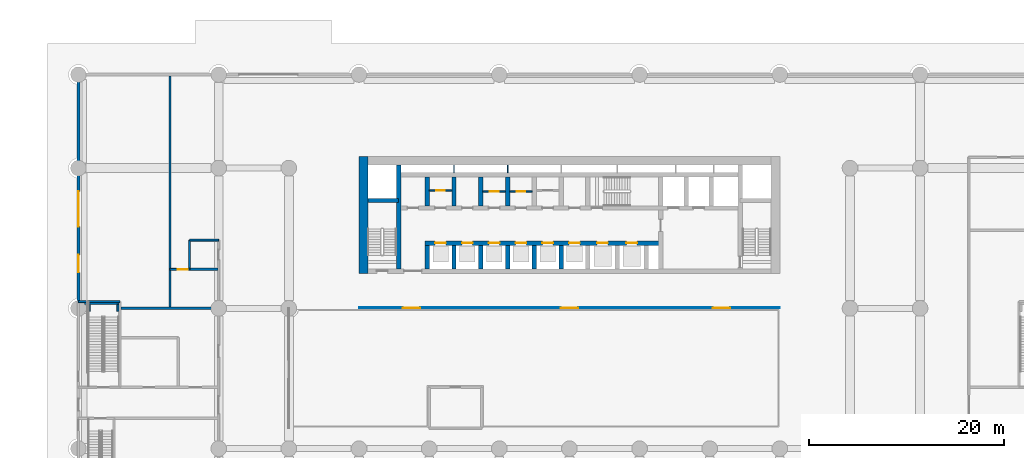
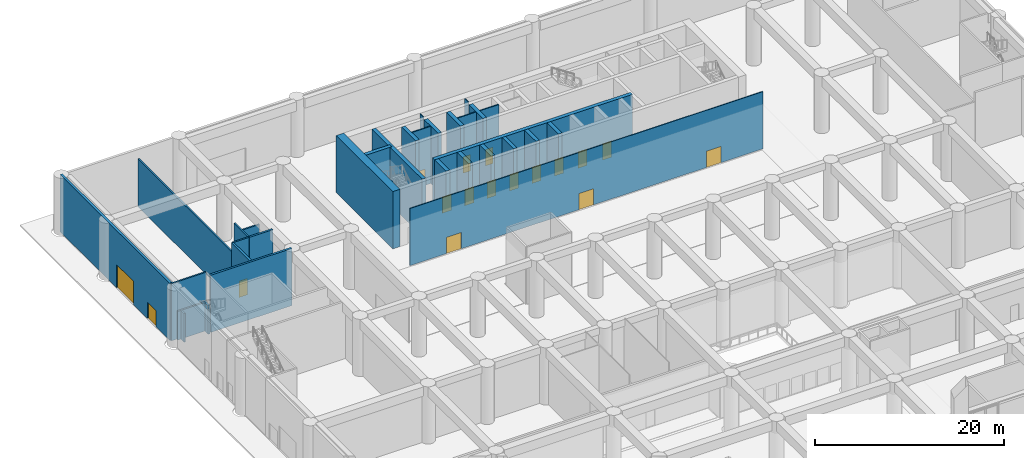
# One storey, part 17 of 32: 32 walls, 17 doors, 17 openings.
"""IFC4 building model written with IfcOpenShell, lengths in metres."""

from ifc_helpers import new_model, si_unit, direction, frame, frame_2d, origin, place, context, subcontext, project, spatial, rectangle, extrude, material, layer, layer_set, type_object, element, fill, save


model = new_model("IFC4")

# Units and contexts
model_context = context("Model", 3, precision=1e-05, world=origin(), true_north=direction((0.0, 1.0)))
body_context = subcontext(model_context, "Body", "Model", "MODEL_VIEW")
ifc_project = project(units=[si_unit("LENGTHUNIT", "METRE"), si_unit("AREAUNIT", "SQUARE_METRE"), si_unit("VOLUMEUNIT", "CUBIC_METRE"), si_unit("PLANEANGLEUNIT", "RADIAN"), si_unit("MASSUNIT", "GRAM", prefix="KILO")], contexts=[model_context])

# Site, building, storey
site_placement = place(None, origin())
site = spatial("IfcSite", under=ifc_project, at=site_placement, CompositionType="ELEMENT")
building_placement = place(site_placement, origin())
building = spatial("IfcBuilding", under=site, at=building_placement, Name="Saffron Iwan Residences", CompositionType="ELEMENT")
storey_placement = place(building_placement, origin())
storey = spatial("IfcBuildingStorey", under=building, at=storey_placement, Name="L00", CompositionType="ELEMENT", Elevation=0.0)

# Wall, opening, door
ifc_material_1 = material(Name="Concrete blockwork", Category="masonry")
ifc_layer_1 = layer(ifc_material_1, 0.18994140625)
ifc_layer_set_1 = layer_set([ifc_layer_1], Name="Concrete blockwork")
wall_type_1 = type_object("IfcWallType", Name="Car park blockwork wall 190", PredefinedType="PARTITIONING", material=ifc_layer_set_1)
wall_1_placement = place(storey_placement, frame((9.39990234375, 66.39990234375, 0.0), z_axis=(0.0, 0.0, 1.0), x_axis=(1.0, 0.0, 0.0)))
wall_1 = element("IfcWall", 1, at=wall_1_placement, inside=storey, type_object=wall_type_1, Name="W-L00-038", PredefinedType="PARTITIONING", context=body_context, shape_type="SweptSolid", body=[
    extrude(rectangle(XDim=2.0, YDim=0.18994140625, at=frame_2d((1.0, 0.0))), origin(), (0.0, 0.0, 1.0), 7.39990234375),
])
opening_1_placement = place(wall_1_placement, frame((0.800048828125, 0.0, 0.0)))
opening_1 = element("IfcOpeningElement", 2, at=opening_1_placement, cuts=wall_1, Name="Opening L00.30", PredefinedType="OPENING", context=body_context, shape_type="SweptSolid", body=[
    extrude(rectangle(XDim=1.0, YDim=2.10009765625, at=frame_2d((0.5, 1.050048828125))), frame((0.0, 0.10498046875, 0.0), z_axis=(0.0, -1.0, 0.0), x_axis=(1.0, 0.0, 0.0)), (0.0, 0.0, 1.0), 0.2099609375),
])
ifc_material_2 = material(Name="Timber", Category="wood")
door_type_1 = type_object("IfcDoorType", Name="Door 1000x2100", OperationType="NOTDEFINED", PredefinedType="DOOR", material=ifc_material_2)
door_1_placement = place(opening_1_placement, origin())
door_1 = element("IfcDoor", 3, at=door_1_placement, inside=storey, type_object=door_type_1, Name="D-L00-030", OperationType="SINGLE_SWING_RIGHT", OverallHeight=2.10009765625, OverallWidth=1.0, PredefinedType="DOOR", context=body_context, shape_type="SweptSolid", body=[
    extrude(rectangle(XDim=1.0, YDim=2.10009765625, at=frame_2d((0.5, 1.050048828125))), frame((0.0, 0.02490234375, 0.0), z_axis=(0.0, -1.0, 0.0), x_axis=(1.0, 0.0, 0.0)), (0.0, 0.0, 1.0), 0.050048828125),
])
fill(opening_1, door_1)

# Walls
wall_2_placement = place(storey_placement, frame((11.39990234375, 69.39990234375, 0.0), z_axis=(0.0, 0.0, 1.0), x_axis=(1.0, 0.0, 0.0)))
element("IfcWall", 4, at=wall_2_placement, inside=storey, type_object=wall_type_1, Name="W-L00-040", PredefinedType="PARTITIONING", context=body_context, shape_type="SweptSolid", body=[
    extrude(rectangle(XDim=3.0, YDim=0.18994140625, at=frame_2d((1.5, 0.0))), origin(), (0.0, 0.0, 1.0), 6.199951171875),
])
wall_3_placement = place(storey_placement, frame((9.39990234375, 66.39990234375, 0.0), z_axis=(0.0, 0.0, 1.0), x_axis=(0.0, 1.0, 0.0)))
element("IfcWall", 5, at=wall_3_placement, inside=storey, type_object=wall_type_1, Name="W-L00-053", PredefinedType="PARTITIONING", context=body_context, shape_type="SweptSolid", body=[
    extrude(rectangle(XDim=19.85009765625, YDim=0.18994140625, at=frame_2d((9.925048828125, 0.0))), origin(), (0.0, 0.0, 1.0), 6.199951171875),
])
wall_4_placement = place(storey_placement, frame((11.39990234375, 66.39990234375, 0.0), z_axis=(0.0, 0.0, 1.0), x_axis=(0.0, 1.0, 0.0)))
element("IfcWall", 6, at=wall_4_placement, inside=storey, type_object=wall_type_1, Name="W-L00-056", PredefinedType="PARTITIONING", context=body_context, shape_type="SweptSolid", body=[
    extrude(rectangle(XDim=3.0, YDim=0.18994140625, at=frame_2d((1.5, 0.0))), origin(), (0.0, 0.0, 1.0), 7.39990234375),
])

# Wall, opening, door
ifc_material_3 = material(Name="Fire-rated plasterboard partition")
ifc_layer_2 = layer(ifc_material_3, 0.14990234375)
ifc_layer_set_2 = layer_set([ifc_layer_2], Name="Fire-rated plasterboard partition")
wall_type_2 = type_object("IfcWallType", Name="Core partition 150", PredefinedType="PARTITIONING", material=ifc_layer_set_2)
wall_5_placement = place(storey_placement, frame((36.02490234375, 74.51806640625, 0.0), z_axis=(0.0, 0.0, 1.0), x_axis=(1.0, 0.0, 0.0)))
wall_5 = element("IfcWall", 7, at=wall_5_placement, inside=storey, type_object=wall_type_2, Name="Core partition P02", PredefinedType="PARTITIONING", context=body_context, shape_type="SweptSolid", body=[
    extrude(rectangle(XDim=2.300048828125, YDim=0.14990234375, at=frame_2d((1.14990234375, 0.0))), origin(), (0.0, 0.0, 1.0), 7.39990234375),
])
opening_2_placement = place(wall_5_placement, frame((0.699951171875, 0.0, 0.0)))
opening_2 = element("IfcOpeningElement", 8, at=opening_2_placement, cuts=wall_5, Name="Opening SB", PredefinedType="OPENING", context=body_context, shape_type="SweptSolid", body=[
    extrude(rectangle(XDim=0.89990234375, YDim=2.10009765625, at=frame_2d((0.449951171875, 1.050048828125))), frame((0.0, 0.0849609375, 0.0), z_axis=(0.0, -1.0, 0.0), x_axis=(1.0, 0.0, 0.0)), (0.0, 0.0, 1.0), 0.169921875),
])
ifc_material_4 = material(Name="Steel fire door", Category="steel")
door_type_2 = type_object("IfcDoorType", Name="Store door 900", OperationType="NOTDEFINED", PredefinedType="DOOR", material=ifc_material_4)
door_2_placement = place(opening_2_placement, origin())
door_2 = element("IfcDoor", 9, at=door_2_placement, inside=storey, type_object=door_type_2, Name="Door Records store", OperationType="SINGLE_SWING_RIGHT", OverallHeight=2.10009765625, OverallWidth=0.89990234375, PredefinedType="DOOR", context=body_context, shape_type="SweptSolid", body=[
    extrude(rectangle(XDim=0.89990234375, YDim=2.10009765625, at=frame_2d((0.449951171875, 1.050048828125))), frame((0.0, 0.02490234375, 0.0), z_axis=(0.0, -1.0, 0.0), x_axis=(1.0, 0.0, 0.0)), (0.0, 0.0, 1.0), 0.050048828125),
])
fill(opening_2, door_2)

wall_6_placement = place(storey_placement, frame((41.52490234375, 74.39990234375, 0.0), z_axis=(0.0, 0.0, 1.0), x_axis=(1.0, 0.0, 0.0)))
wall_6 = element("IfcWall", 10, at=wall_6_placement, inside=storey, type_object=wall_type_2, Name="Core partition P03", PredefinedType="PARTITIONING", context=body_context, shape_type="SweptSolid", body=[
    extrude(rectangle(XDim=2.300048828125, YDim=0.14990234375, at=frame_2d((1.14990234375, 0.0))), origin(), (0.0, 0.0, 1.0), 7.39990234375),
])
opening_3_placement = place(wall_6_placement, frame((0.699951171875, 0.0, 0.0)))
opening_3 = element("IfcOpeningElement", 11, at=opening_3_placement, cuts=wall_6, Name="Opening SB", PredefinedType="OPENING", context=body_context, shape_type="SweptSolid", body=[
    extrude(rectangle(XDim=0.89990234375, YDim=2.10009765625, at=frame_2d((0.449951171875, 1.050048828125))), frame((0.0, 0.0849609375, 0.0), z_axis=(0.0, -1.0, 0.0), x_axis=(1.0, 0.0, 0.0)), (0.0, 0.0, 1.0), 0.169921875),
])
door_3_placement = place(opening_3_placement, origin())
door_3 = element("IfcDoor", 12, at=door_3_placement, inside=storey, type_object=door_type_2, Name="Door Tool store", OperationType="SINGLE_SWING_LEFT", OverallHeight=2.10009765625, OverallWidth=0.89990234375, PredefinedType="DOOR", context=body_context, shape_type="SweptSolid", body=[
    extrude(rectangle(XDim=0.89990234375, YDim=2.10009765625, at=frame_2d((0.449951171875, 1.050048828125))), frame((0.0, 0.02490234375, 0.0), z_axis=(0.0, -1.0, 0.0), x_axis=(1.0, 0.0, 0.0)), (0.0, 0.0, 1.0), 0.050048828125),
])
fill(opening_3, door_3)

wall_7_placement = place(storey_placement, frame((44.27490234375, 74.39990234375, 0.0), z_axis=(0.0, 0.0, 1.0), x_axis=(1.0, 0.0, 0.0)))
wall_7 = element("IfcWall", 13, at=wall_7_placement, inside=storey, type_object=wall_type_2, Name="Core partition P04", PredefinedType="PARTITIONING", context=body_context, shape_type="SweptSolid", body=[
    extrude(rectangle(XDim=2.300048828125, YDim=0.14990234375, at=frame_2d((1.14990234375, 0.0))), origin(), (0.0, 0.0, 1.0), 7.39990234375),
])
opening_4_placement = place(wall_7_placement, frame((0.699951171875, 0.0, 0.0)))
opening_4 = element("IfcOpeningElement", 14, at=opening_4_placement, cuts=wall_7, Name="Opening SB", PredefinedType="OPENING", context=body_context, shape_type="SweptSolid", body=[
    extrude(rectangle(XDim=0.89990234375, YDim=2.10009765625, at=frame_2d((0.449951171875, 1.050048828125))), frame((0.0, 0.0849609375, 0.0), z_axis=(0.0, -1.0, 0.0), x_axis=(1.0, 0.0, 0.0)), (0.0, 0.0, 1.0), 0.169921875),
])
door_4_placement = place(opening_4_placement, origin())
door_4 = element("IfcDoor", 15, at=door_4_placement, inside=storey, type_object=door_type_2, Name="Door Cabling room", OperationType="SINGLE_SWING_RIGHT", OverallHeight=2.10009765625, OverallWidth=0.89990234375, PredefinedType="DOOR", context=body_context, shape_type="SweptSolid", body=[
    extrude(rectangle(XDim=0.89990234375, YDim=2.10009765625, at=frame_2d((0.449951171875, 1.050048828125))), frame((0.0, 0.02490234375, 0.0), z_axis=(0.0, -1.0, 0.0), x_axis=(1.0, 0.0, 0.0)), (0.0, 0.0, 1.0), 0.050048828125),
])
fill(opening_4, door_4)

# Walls
ifc_material_5 = material(Name="Concrete C40/50", Category="concrete")
ifc_layer_3 = layer(ifc_material_5, 0.25)
ifc_layer_set_3 = layer_set([ifc_layer_3], Name="Concrete C40/50")
wall_type_3 = type_object("IfcWallType", Name="Fire compartment wall 250", PredefinedType="SOLIDWALL", material=ifc_layer_set_3)
wall_8_placement = place(storey_placement, frame((4.35009765625, 62.39990234375, 0.0), z_axis=(0.0, 0.0, 1.0), x_axis=(1.0, 0.0, 0.0)))
element("IfcWall", 16, at=wall_8_placement, inside=storey, type_object=wall_type_3, Name="W-L00-035", PredefinedType="SOLIDWALL", context=body_context, shape_type="SweptSolid", body=[
    extrude(rectangle(XDim=9.954833984375, YDim=0.25, at=frame_2d((4.9775390625, 0.0))), origin(), (0.0, 0.0, 1.0), 7.39990234375),
])
wall_9_placement = place(storey_placement, frame((11.39990234375, 66.39990234375, 0.0), z_axis=(0.0, 0.0, 1.0), x_axis=(1.0, 0.0, 0.0)))
element("IfcWall", 17, at=wall_9_placement, inside=storey, type_object=wall_type_3, Name="W-L00-039", PredefinedType="SOLIDWALL", context=body_context, shape_type="SweptSolid", body=[
    extrude(rectangle(XDim=2.905029296875, YDim=0.25, at=frame_2d((1.45263671875, 0.0))), origin(), (0.0, 0.0, 1.0), 7.39990234375),
])
wall_10_placement = place(storey_placement, frame((9.39990234375, 62.52490234375, 0.0), z_axis=(0.0, 0.0, 1.0), x_axis=(0.0, 1.0, 0.0)))
element("IfcWall", 18, at=wall_10_placement, inside=storey, type_object=wall_type_3, Name="W-L00-054", PredefinedType="SOLIDWALL", context=body_context, shape_type="SweptSolid", body=[
    extrude(rectangle(XDim=3.875, YDim=0.25, at=frame_2d((1.9375, 0.0))), origin(), (0.0, 0.0, 1.0), 7.39990234375),
])
ifc_layer_4 = layer(ifc_material_5, 0.199951171875)
ifc_layer_set_4 = layer_set([ifc_layer_4], Name="Concrete C40/50")
wall_type_4 = type_object("IfcWallType", Name="Landing support wall, reinforced concrete 200", PredefinedType="SOLIDWALL", material=ifc_layer_set_4)
for number, where, z_axis, x_axis, name in (
    (19, (1.10009765625, 62.10009765625, 0.0), (0.0, 0.0, 1.0), (0.0, 1.0, 0.0), "PS3 landing support wall"),
    (20, (4.050048828125, 62.10009765625, 0.0), (0.0, 0.0, 1.0), (0.0, 1.0, 0.0), "PS3 landing support wall"),
):
    element("IfcWall", number, at=place(storey_placement, frame(where, z_axis=z_axis, x_axis=x_axis)), inside=storey, type_object=wall_type_4, Name=name, PredefinedType="SOLIDWALL", context=body_context, shape_type="SweptSolid", body=[
        extrude(rectangle(XDim=0.699951171875, YDim=0.199951171875, at=frame_2d((0.35009765625, 0.0))), origin(), (0.0, 0.0, 1.0), 3.699951171875),
    ])
wall_11_placement = place(storey_placement, frame((0.6240234375, 62.89990234375, 0.0), z_axis=(0.0, 0.0, 1.0), x_axis=(1.0, 0.0, 0.0)))
element("IfcWall", 21, at=wall_11_placement, inside=storey, type_object=wall_type_4, Name="PS3 landing support wall", PredefinedType="SOLIDWALL", context=body_context, shape_type="SweptSolid", body=[
    extrude(rectangle(XDim=3.52587890625, YDim=0.199951171875, at=frame_2d((1.762939453125, 0.0))), origin(), (0.0, 0.0, 1.0), 3.699951171875),
])

# Wall, openings, doors
ifc_material_6 = material(Name="Precast concrete C40/50", Category="concrete")
ifc_layer_5 = layer(ifc_material_6, 0.300048828125)
ifc_layer_set_5 = layer_set([ifc_layer_5], Name="Precast concrete C40/50")
wall_type_5 = type_object("IfcWallType", Name="Podium external wall 300", PredefinedType="SOLIDWALL", material=ifc_layer_set_5)
wall_12_placement = place(storey_placement, frame((0.0, 63.10009765625, 0.0), z_axis=(0.0, 0.0, 1.0), x_axis=(0.0, 1.0, 0.0)))
wall_12 = element("IfcWall", 22, at=wall_12_placement, inside=storey, type_object=wall_type_5, Name="W-L00-046", PredefinedType="SOLIDWALL", context=body_context, shape_type="SweptSolid", body=[
    extrude(rectangle(XDim=23.2998046875, YDim=0.300048828125, at=frame_2d((11.64990234375, 0.0))), origin(), (0.0, 0.0, 1.0), 7.39990234375),
])
opening_5_placement = place(wall_12_placement, frame((7.699951171875, 0.0, 0.0)))
opening_5 = element("IfcOpeningElement", 23, at=opening_5_placement, cuts=wall_12, Name="Opening L00.60", PredefinedType="OPENING", context=body_context, shape_type="SweptSolid", body=[
    extrude(rectangle(XDim=3.60009765625, YDim=3.0, at=frame_2d((1.800048828125, 1.5))), frame((0.0, 0.16015625, 0.0), z_axis=(0.0, -1.0, 0.0), x_axis=(1.0, 0.0, 0.0)), (0.0, 0.0, 1.0), 0.320068359375),
])
opening_6_placement = place(wall_12_placement, frame((3.0, 0.0, 0.0)))
opening_6 = element("IfcOpeningElement", 24, at=opening_6_placement, cuts=wall_12, Name="Opening L00.61", PredefinedType="OPENING", context=body_context, shape_type="SweptSolid", body=[
    extrude(rectangle(XDim=1.800048828125, YDim=2.10009765625, at=frame_2d((0.89990234375, 1.050048828125))), frame((0.0, 0.16015625, 0.0), z_axis=(0.0, -1.0, 0.0), x_axis=(1.0, 0.0, 0.0)), (0.0, 0.0, 1.0), 0.320068359375),
])
ifc_material_7 = material(Name="Glass", Category="glass")
door_type_3 = type_object("IfcDoorType", Name="Glazed entrance door 1800", OperationType="DOUBLE_DOOR_SINGLE_SWING", PredefinedType="DOOR", material=ifc_material_7)
door_5_placement = place(opening_6_placement, origin())
door_5 = element("IfcDoor", 25, at=door_5_placement, inside=storey, type_object=door_type_3, Name="D-L00-061", OperationType="DOUBLE_DOOR_SINGLE_SWING", OverallHeight=2.10009765625, OverallWidth=1.800048828125, PredefinedType="DOOR", context=body_context, shape_type="SweptSolid", body=[
    extrude(rectangle(XDim=1.800048828125, YDim=2.10009765625, at=frame_2d((0.89990234375, 1.050048828125))), frame((0.0, 0.02490234375, 0.0), z_axis=(0.0, -1.0, 0.0), x_axis=(1.0, 0.0, 0.0)), (0.0, 0.0, 1.0), 0.050048828125),
])
fill(opening_6, door_5)
ifc_material_8 = material(Name="Steel", Category="steel")
door_type_4 = type_object("IfcDoorType", Name="Roller shutter 3600x3000", OperationType="ROLLINGUP", PredefinedType="DOOR", material=ifc_material_8)
door_6_placement = place(opening_5_placement, origin())
door_6 = element("IfcDoor", 26, at=door_6_placement, inside=storey, type_object=door_type_4, Name="D-L00-060", OperationType="SINGLE_SWING_LEFT", OverallHeight=3.0, OverallWidth=3.60009765625, PredefinedType="DOOR", context=body_context, shape_type="SweptSolid", body=[
    extrude(rectangle(XDim=3.60009765625, YDim=3.0, at=frame_2d((1.800048828125, 1.5))), frame((0.0, 0.02490234375, 0.0), z_axis=(0.0, -1.0, 0.0), x_axis=(1.0, 0.0, 0.0)), (0.0, 0.0, 1.0), 0.050048828125),
])
fill(opening_5, door_6)

# Wall
ifc_layer_6 = layer(ifc_material_5, 0.199951171875)
ifc_layer_set_6 = layer_set([ifc_layer_6], Name="Concrete C40/50")
wall_type_6 = type_object("IfcWallType", Name="Reinforced concrete stair wall 200", PredefinedType="SOLIDWALL", material=ifc_layer_set_6)
wall_13_placement = place(storey_placement, frame((0.0, 63.10009765625, 0.0), z_axis=(0.0, 0.0, 1.0), x_axis=(1.0, 0.0, 0.0)))
element("IfcWall", 27, at=wall_13_placement, inside=storey, type_object=wall_type_6, Name="W-L00-036", PredefinedType="SOLIDWALL", context=body_context, shape_type="SweptSolid", body=[
    extrude(rectangle(XDim=4.25, YDim=0.199951171875, at=frame_2d((2.125, 0.0))), origin(), (0.0, 0.0, 1.0), 7.39990234375),
])

# Wall, openings, doors
ifc_layer_7 = layer(ifc_material_3, 0.10009765625)
ifc_layer_set_7 = layer_set([ifc_layer_7], Name="Fire-rated plasterboard partition")
wall_type_7 = type_object("IfcWallType", Name="Riser partition 100", PredefinedType="PARTITIONING", material=ifc_layer_set_7)
wall_14_placement = place(storey_placement, frame((28.800048828125, 62.449951171875, 0.0), z_axis=(0.0, 0.0, 1.0), x_axis=(1.0, 0.0, 0.0)))
wall_14 = element("IfcWall", 28, at=wall_14_placement, inside=storey, type_object=wall_type_7, Name="Core partition P01", PredefinedType="PARTITIONING", context=body_context, shape_type="SweptSolid", body=[
    extrude(rectangle(XDim=43.199951171875, YDim=0.10009765625, at=frame_2d((21.60009765625, 0.0))), origin(), (0.0, 0.0, 1.0), 7.39990234375),
])
opening_7_placement = place(wall_14_placement, frame((4.5, 0.0, 0.0)))
opening_7 = element("IfcOpeningElement", 29, at=opening_7_placement, cuts=wall_14, Name="Opening DD", PredefinedType="OPENING", context=body_context, shape_type="SweptSolid", body=[
    extrude(rectangle(XDim=1.800048828125, YDim=2.10009765625, at=frame_2d((0.89990234375, 1.050048828125))), frame((0.0, 0.06005859375, 0.0), z_axis=(0.0, -1.0, 0.0), x_axis=(1.0, 0.0, 0.0)), (0.0, 0.0, 1.0), 0.1201171875),
])
opening_8_placement = place(wall_14_placement, frame((20.699951171875, 0.0, 0.0)))
opening_8 = element("IfcOpeningElement", 30, at=opening_8_placement, cuts=wall_14, Name="Opening DD", PredefinedType="OPENING", context=body_context, shape_type="SweptSolid", body=[
    extrude(rectangle(XDim=1.800048828125, YDim=2.10009765625, at=frame_2d((0.89990234375, 1.050048828125))), frame((0.0, 0.06005859375, 0.0), z_axis=(0.0, -1.0, 0.0), x_axis=(1.0, 0.0, 0.0)), (0.0, 0.0, 1.0), 0.1201171875),
])
opening_9_placement = place(wall_14_placement, frame((36.300048828125, 0.0, 0.0)))
opening_9 = element("IfcOpeningElement", 31, at=opening_9_placement, cuts=wall_14, Name="Opening DD", PredefinedType="OPENING", context=body_context, shape_type="SweptSolid", body=[
    extrude(rectangle(XDim=1.800048828125, YDim=2.10009765625, at=frame_2d((0.89990234375, 1.050048828125))), frame((0.0, 0.06005859375, 0.0), z_axis=(0.0, -1.0, 0.0), x_axis=(1.0, 0.0, 0.0)), (0.0, 0.0, 1.0), 0.1201171875),
])
door_type_5 = type_object("IfcDoorType", Name="Lobby double door 1800", OperationType="DOUBLE_DOOR_SINGLE_SWING", PredefinedType="DOOR", material=ifc_material_4)
door_7_placement = place(opening_7_placement, origin())
door_7 = element("IfcDoor", 32, at=door_7_placement, inside=storey, type_object=door_type_5, Name="Lobby screen doors", OperationType="DOUBLE_DOOR_SINGLE_SWING", OverallHeight=2.10009765625, OverallWidth=1.800048828125, PredefinedType="DOOR", context=body_context, shape_type="SweptSolid", body=[
    extrude(rectangle(XDim=1.800048828125, YDim=2.10009765625, at=frame_2d((0.89990234375, 1.050048828125))), frame((0.0, 0.02490234375, 0.0), z_axis=(0.0, -1.0, 0.0), x_axis=(1.0, 0.0, 0.0)), (0.0, 0.0, 1.0), 0.050048828125),
])
fill(opening_7, door_7)
door_8_placement = place(opening_8_placement, origin())
door_8 = element("IfcDoor", 33, at=door_8_placement, inside=storey, type_object=door_type_5, Name="Lobby screen doors", OperationType="DOUBLE_DOOR_SINGLE_SWING", OverallHeight=2.10009765625, OverallWidth=1.800048828125, PredefinedType="DOOR", context=body_context, shape_type="SweptSolid", body=[
    extrude(rectangle(XDim=1.800048828125, YDim=2.10009765625, at=frame_2d((0.89990234375, 1.050048828125))), frame((0.0, 0.02490234375, 0.0), z_axis=(0.0, -1.0, 0.0), x_axis=(1.0, 0.0, 0.0)), (0.0, 0.0, 1.0), 0.050048828125),
])
fill(opening_8, door_8)
door_9_placement = place(opening_9_placement, origin())
door_9 = element("IfcDoor", 34, at=door_9_placement, inside=storey, type_object=door_type_5, Name="Lobby screen doors", OperationType="DOUBLE_DOOR_SINGLE_SWING", OverallHeight=2.10009765625, OverallWidth=1.800048828125, PredefinedType="DOOR", context=body_context, shape_type="SweptSolid", body=[
    extrude(rectangle(XDim=1.800048828125, YDim=2.10009765625, at=frame_2d((0.89990234375, 1.050048828125))), frame((0.0, 0.02490234375, 0.0), z_axis=(0.0, -1.0, 0.0), x_axis=(1.0, 0.0, 0.0)), (0.0, 0.0, 1.0), 0.050048828125),
])
fill(opening_9, door_9)

# Walls
for number, where, z_axis, x_axis, name in (
    (35, (38.550048828125, 76.324951171875, 0.0), (0.0, 0.0, 1.0), (0.0, 1.0, 0.0), "Core partition P06"),
    (36, (44.050048828125, 76.324951171875, 0.0), (0.0, 0.0, 1.0), (0.0, 1.0, 0.0), "Core partition P07"),
):
    element("IfcWall", number, at=place(storey_placement, frame(where, z_axis=z_axis, x_axis=x_axis)), inside=storey, type_object=wall_type_7, Name=name, PredefinedType="PARTITIONING", context=body_context, shape_type="SweptSolid", body=[
        extrude(rectangle(XDim=0.775146484375, YDim=0.10009765625, at=frame_2d((0.3876953125, 0.0))), origin(), (0.0, 0.0, 1.0), 7.39990234375),
    ])

# Wall, openings, doors
ifc_material_9 = material(Name="Concrete C60/75", Category="concrete")
ifc_layer_8 = layer(ifc_material_9, 0.449951171875)
ifc_layer_set_8 = layer_set([ifc_layer_8], Name="Concrete C60/75")
wall_type_8 = type_object("IfcWallType", Name="WALL CORE 450 C60/75 7400 HIGH", PredefinedType="SHEAR", material=ifc_layer_set_8)
wall_15_placement = place(storey_placement, frame((35.574951171875, 69.10009765625, 0.0), z_axis=(0.0, 0.0, 1.0), x_axis=(1.0, 0.0, 0.0)))
wall_15 = element("IfcWall", 37, at=wall_15_placement, inside=storey, type_object=wall_type_8, Name="Core wall", PredefinedType="SHEAR", context=body_context, shape_type="SweptSolid", body=[
    extrude(rectangle(XDim=24.199951171875, YDim=0.449951171875, at=frame_2d((12.10009765625, 0.0))), origin(), (0.0, 0.0, 1.0), 7.39990234375),
])
opening_10_placement = place(wall_15_placement, frame((1.050048828125, 0.0, 0.0)))
opening_10 = element("IfcOpeningElement", 38, at=opening_10_placement, cuts=wall_15, Name="Opening LD", PredefinedType="OPENING", context=body_context, shape_type="SweptSolid", body=[
    extrude(rectangle(XDim=1.10009765625, YDim=2.10009765625, at=frame_2d((0.550048828125, 1.050048828125))), frame((0.0, 0.23486328125, 0.0), z_axis=(0.0, -1.0, 0.0), x_axis=(1.0, 0.0, 0.0)), (0.0, 0.0, 1.0), 0.469970703125),
])
opening_11_placement = place(wall_15_placement, frame((3.800048828125, 0.0, 0.0)))
opening_11 = element("IfcOpeningElement", 39, at=opening_11_placement, cuts=wall_15, Name="Opening LD", PredefinedType="OPENING", context=body_context, shape_type="SweptSolid", body=[
    extrude(rectangle(XDim=1.10009765625, YDim=2.10009765625, at=frame_2d((0.550048828125, 1.050048828125))), frame((0.0, 0.23486328125, 0.0), z_axis=(0.0, -1.0, 0.0), x_axis=(1.0, 0.0, 0.0)), (0.0, 0.0, 1.0), 0.469970703125),
])
opening_12_placement = place(wall_15_placement, frame((6.550048828125, 0.0, 0.0)))
opening_12 = element("IfcOpeningElement", 40, at=opening_12_placement, cuts=wall_15, Name="Opening LD", PredefinedType="OPENING", context=body_context, shape_type="SweptSolid", body=[
    extrude(rectangle(XDim=1.10009765625, YDim=2.10009765625, at=frame_2d((0.550048828125, 1.050048828125))), frame((0.0, 0.23486328125, 0.0), z_axis=(0.0, -1.0, 0.0), x_axis=(1.0, 0.0, 0.0)), (0.0, 0.0, 1.0), 0.469970703125),
])
opening_13_placement = place(wall_15_placement, frame((9.300048828125, 0.0, 0.0)))
opening_13 = element("IfcOpeningElement", 41, at=opening_13_placement, cuts=wall_15, Name="Opening LD", PredefinedType="OPENING", context=body_context, shape_type="SweptSolid", body=[
    extrude(rectangle(XDim=1.10009765625, YDim=2.10009765625, at=frame_2d((0.550048828125, 1.050048828125))), frame((0.0, 0.23486328125, 0.0), z_axis=(0.0, -1.0, 0.0), x_axis=(1.0, 0.0, 0.0)), (0.0, 0.0, 1.0), 0.469970703125),
])
opening_14_placement = place(wall_15_placement, frame((12.050048828125, 0.0, 0.0)))
opening_14 = element("IfcOpeningElement", 42, at=opening_14_placement, cuts=wall_15, Name="Opening LD", PredefinedType="OPENING", context=body_context, shape_type="SweptSolid", body=[
    extrude(rectangle(XDim=1.10009765625, YDim=2.10009765625, at=frame_2d((0.550048828125, 1.050048828125))), frame((0.0, 0.23486328125, 0.0), z_axis=(0.0, -1.0, 0.0), x_axis=(1.0, 0.0, 0.0)), (0.0, 0.0, 1.0), 0.469970703125),
])
opening_15_placement = place(wall_15_placement, frame((14.800048828125, 0.0, 0.0)))
opening_15 = element("IfcOpeningElement", 43, at=opening_15_placement, cuts=wall_15, Name="Opening LD", PredefinedType="OPENING", context=body_context, shape_type="SweptSolid", body=[
    extrude(rectangle(XDim=1.10009765625, YDim=2.10009765625, at=frame_2d((0.550048828125, 1.050048828125))), frame((0.0, 0.23486328125, 0.0), z_axis=(0.0, -1.0, 0.0), x_axis=(1.0, 0.0, 0.0)), (0.0, 0.0, 1.0), 0.469970703125),
])
opening_16_placement = place(wall_15_placement, frame((17.675048828125, 0.0, 0.0)))
opening_16 = element("IfcOpeningElement", 44, at=opening_16_placement, cuts=wall_15, Name="Opening LD", PredefinedType="OPENING", context=body_context, shape_type="SweptSolid", body=[
    extrude(rectangle(XDim=1.10009765625, YDim=2.10009765625, at=frame_2d((0.550048828125, 1.050048828125))), frame((0.0, 0.23486328125, 0.0), z_axis=(0.0, -1.0, 0.0), x_axis=(1.0, 0.0, 0.0)), (0.0, 0.0, 1.0), 0.469970703125),
])
opening_17_placement = place(wall_15_placement, frame((20.675048828125, 0.0, 0.0)))
opening_17 = element("IfcOpeningElement", 45, at=opening_17_placement, cuts=wall_15, Name="Opening LD", PredefinedType="OPENING", context=body_context, shape_type="SweptSolid", body=[
    extrude(rectangle(XDim=1.10009765625, YDim=2.10009765625, at=frame_2d((0.550048828125, 1.050048828125))), frame((0.0, 0.23486328125, 0.0), z_axis=(0.0, -1.0, 0.0), x_axis=(1.0, 0.0, 0.0)), (0.0, 0.0, 1.0), 0.469970703125),
])
door_type_6 = type_object("IfcDoorType", Name="Lift landing door 1100", OperationType="SLIDING_TO_LEFT", PredefinedType="DOOR", material=ifc_material_4)
door_10_placement = place(opening_10_placement, origin())
door_10 = element("IfcDoor", 46, at=door_10_placement, inside=storey, type_object=door_type_6, Name="Landing doors LR1", OperationType="SLIDING_TO_LEFT", OverallHeight=2.10009765625, OverallWidth=1.10009765625, PredefinedType="DOOR", context=body_context, shape_type="SweptSolid", body=[
    extrude(rectangle(XDim=1.10009765625, YDim=2.10009765625, at=frame_2d((0.550048828125, 1.050048828125))), frame((0.0, 0.02490234375, 0.0), z_axis=(0.0, -1.0, 0.0), x_axis=(1.0, 0.0, 0.0)), (0.0, 0.0, 1.0), 0.050048828125),
])
fill(opening_10, door_10)
door_11_placement = place(opening_11_placement, origin())
door_11 = element("IfcDoor", 47, at=door_11_placement, inside=storey, type_object=door_type_6, Name="Landing doors LR2", OperationType="SLIDING_TO_LEFT", OverallHeight=2.10009765625, OverallWidth=1.10009765625, PredefinedType="DOOR", context=body_context, shape_type="SweptSolid", body=[
    extrude(rectangle(XDim=1.10009765625, YDim=2.10009765625, at=frame_2d((0.550048828125, 1.050048828125))), frame((0.0, 0.02490234375, 0.0), z_axis=(0.0, -1.0, 0.0), x_axis=(1.0, 0.0, 0.0)), (0.0, 0.0, 1.0), 0.050048828125),
])
fill(opening_11, door_11)
door_12_placement = place(opening_12_placement, origin())
door_12 = element("IfcDoor", 48, at=door_12_placement, inside=storey, type_object=door_type_6, Name="Landing doors LR3", OperationType="SLIDING_TO_LEFT", OverallHeight=2.10009765625, OverallWidth=1.10009765625, PredefinedType="DOOR", context=body_context, shape_type="SweptSolid", body=[
    extrude(rectangle(XDim=1.10009765625, YDim=2.10009765625, at=frame_2d((0.550048828125, 1.050048828125))), frame((0.0, 0.02490234375, 0.0), z_axis=(0.0, -1.0, 0.0), x_axis=(1.0, 0.0, 0.0)), (0.0, 0.0, 1.0), 0.050048828125),
])
fill(opening_12, door_12)
door_13_placement = place(opening_13_placement, origin())
door_13 = element("IfcDoor", 49, at=door_13_placement, inside=storey, type_object=door_type_6, Name="Landing doors LR4", OperationType="SLIDING_TO_LEFT", OverallHeight=2.10009765625, OverallWidth=1.10009765625, PredefinedType="DOOR", context=body_context, shape_type="SweptSolid", body=[
    extrude(rectangle(XDim=1.10009765625, YDim=2.10009765625, at=frame_2d((0.550048828125, 1.050048828125))), frame((0.0, 0.02490234375, 0.0), z_axis=(0.0, -1.0, 0.0), x_axis=(1.0, 0.0, 0.0)), (0.0, 0.0, 1.0), 0.050048828125),
])
fill(opening_13, door_13)
door_14_placement = place(opening_14_placement, origin())
door_14 = element("IfcDoor", 50, at=door_14_placement, inside=storey, type_object=door_type_6, Name="Landing doors LR5", OperationType="SLIDING_TO_LEFT", OverallHeight=2.10009765625, OverallWidth=1.10009765625, PredefinedType="DOOR", context=body_context, shape_type="SweptSolid", body=[
    extrude(rectangle(XDim=1.10009765625, YDim=2.10009765625, at=frame_2d((0.550048828125, 1.050048828125))), frame((0.0, 0.02490234375, 0.0), z_axis=(0.0, -1.0, 0.0), x_axis=(1.0, 0.0, 0.0)), (0.0, 0.0, 1.0), 0.050048828125),
])
fill(opening_14, door_14)
door_15_placement = place(opening_15_placement, origin())
door_15 = element("IfcDoor", 51, at=door_15_placement, inside=storey, type_object=door_type_6, Name="Landing doors LR6", OperationType="SLIDING_TO_LEFT", OverallHeight=2.10009765625, OverallWidth=1.10009765625, PredefinedType="DOOR", context=body_context, shape_type="SweptSolid", body=[
    extrude(rectangle(XDim=1.10009765625, YDim=2.10009765625, at=frame_2d((0.550048828125, 1.050048828125))), frame((0.0, 0.02490234375, 0.0), z_axis=(0.0, -1.0, 0.0), x_axis=(1.0, 0.0, 0.0)), (0.0, 0.0, 1.0), 0.050048828125),
])
fill(opening_15, door_15)
door_16_placement = place(opening_16_placement, origin())
door_16 = element("IfcDoor", 52, at=door_16_placement, inside=storey, type_object=door_type_6, Name="Landing doors SH1", OperationType="SLIDING_TO_LEFT", OverallHeight=2.10009765625, OverallWidth=1.10009765625, PredefinedType="DOOR", context=body_context, shape_type="SweptSolid", body=[
    extrude(rectangle(XDim=1.10009765625, YDim=2.10009765625, at=frame_2d((0.550048828125, 1.050048828125))), frame((0.0, 0.02490234375, 0.0), z_axis=(0.0, -1.0, 0.0), x_axis=(1.0, 0.0, 0.0)), (0.0, 0.0, 1.0), 0.050048828125),
])
fill(opening_16, door_16)
door_17_placement = place(opening_17_placement, origin())
door_17 = element("IfcDoor", 53, at=door_17_placement, inside=storey, type_object=door_type_6, Name="Landing doors SH2", OperationType="SLIDING_TO_LEFT", OverallHeight=2.10009765625, OverallWidth=1.10009765625, PredefinedType="DOOR", context=body_context, shape_type="SweptSolid", body=[
    extrude(rectangle(XDim=1.10009765625, YDim=2.10009765625, at=frame_2d((0.550048828125, 1.050048828125))), frame((0.0, 0.02490234375, 0.0), z_axis=(0.0, -1.0, 0.0), x_axis=(1.0, 0.0, 0.0)), (0.0, 0.0, 1.0), 0.050048828125),
])
fill(opening_17, door_17)

# Walls
wall_16_placement = place(storey_placement, frame((29.699951171875, 73.47509765625, 0.0), z_axis=(0.0, 0.0, 1.0), x_axis=(1.0, 0.0, 0.0)))
element("IfcWall", 54, at=wall_16_placement, inside=storey, type_object=wall_type_8, Name="Core wall", PredefinedType="SHEAR", context=body_context, shape_type="SweptSolid", body=[
    extrude(rectangle(XDim=3.175048828125, YDim=0.449951171875, at=frame_2d((1.58740234375, 0.0))), origin(), (0.0, 0.0, 1.0), 7.39990234375),
])
wall_17_placement = place(storey_placement, frame((32.875, 66.449951171875, 0.0), z_axis=(0.0, 0.0, 1.0), x_axis=(0.0, 1.0, 0.0)))
element("IfcWall", 55, at=wall_17_placement, inside=storey, type_object=wall_type_8, Name="Core wall", PredefinedType="SHEAR", context=body_context, shape_type="SweptSolid", body=[
    extrude(rectangle(XDim=10.650146484375, YDim=0.449951171875, at=frame_2d((5.3251953125, 0.0))), origin(), (0.0, 0.0, 1.0), 7.39990234375),
])
for number, where, z_axis, x_axis, name in (
    (56, (35.800048828125, 66.449951171875, 0.0), (0.0, 0.0, 1.0), (0.0, 1.0, 0.0), "Core wall"),
    (57, (38.550048828125, 66.449951171875, 0.0), (0.0, 0.0, 1.0), (0.0, 1.0, 0.0), "Core wall"),
    (58, (41.300048828125, 66.449951171875, 0.0), (0.0, 0.0, 1.0), (0.0, 1.0, 0.0), "Core wall"),
    (59, (44.050048828125, 66.449951171875, 0.0), (0.0, 0.0, 1.0), (0.0, 1.0, 0.0), "Core wall"),
    (60, (46.800048828125, 66.449951171875, 0.0), (0.0, 0.0, 1.0), (0.0, 1.0, 0.0), "Core wall"),
    (61, (49.550048828125, 66.449951171875, 0.0), (0.0, 0.0, 1.0), (0.0, 1.0, 0.0), "Core wall"),
):
    element("IfcWall", number, at=place(storey_placement, frame(where, z_axis=z_axis, x_axis=x_axis)), inside=storey, type_object=wall_type_8, Name=name, PredefinedType="SHEAR", context=body_context, shape_type="SweptSolid", body=[
        extrude(rectangle(XDim=2.425048828125, YDim=0.449951171875, at=frame_2d((1.21240234375, 0.0))), origin(), (0.0, 0.0, 1.0), 7.39990234375),
    ])
for number, where, z_axis, x_axis, name in (
    (62, (35.800048828125, 72.925048828125, 0.0), (0.0, 0.0, 1.0), (0.0, 1.0, 0.0), "Core wall"),
    (63, (38.550048828125, 72.925048828125, 0.0), (0.0, 0.0, 1.0), (0.0, 1.0, 0.0), "Core wall"),
    (64, (41.300048828125, 72.925048828125, 0.0), (0.0, 0.0, 1.0), (0.0, 1.0, 0.0), "Core wall"),
    (65, (44.050048828125, 72.925048828125, 0.0), (0.0, 0.0, 1.0), (0.0, 1.0, 0.0), "Core wall"),
):
    element("IfcWall", number, at=place(storey_placement, frame(where, z_axis=z_axis, x_axis=x_axis)), inside=storey, type_object=wall_type_8, Name=name, PredefinedType="SHEAR", context=body_context, shape_type="SweptSolid", body=[
        extrude(rectangle(XDim=2.949951171875, YDim=0.449951171875, at=frame_2d((1.47509765625, 0.0))), origin(), (0.0, 0.0, 1.0), 7.39990234375),
    ])
ifc_layer_9 = layer(ifc_material_9, 0.89990234375)
ifc_layer_set_9 = layer_set([ifc_layer_9], Name="Concrete C60/75")
wall_type_9 = type_object("IfcWallType", Name="WALL CORE 900 C60/75 7400 HIGH", PredefinedType="SHEAR", material=ifc_layer_set_9)
wall_18_placement = place(storey_placement, frame((29.25, 66.0, 0.0), z_axis=(0.0, 0.0, 1.0), x_axis=(0.0, 1.0, 0.0)))
element("IfcWall", 66, at=wall_18_placement, inside=storey, type_object=wall_type_9, Name="Core wall", PredefinedType="SHEAR", context=body_context, shape_type="SweptSolid", body=[
    extrude(rectangle(XDim=12.0, YDim=0.89990234375, at=frame_2d((6.0, 0.0))), origin(), (0.0, 0.0, 1.0), 7.39990234375),
])

save(model, "model.ifc")
